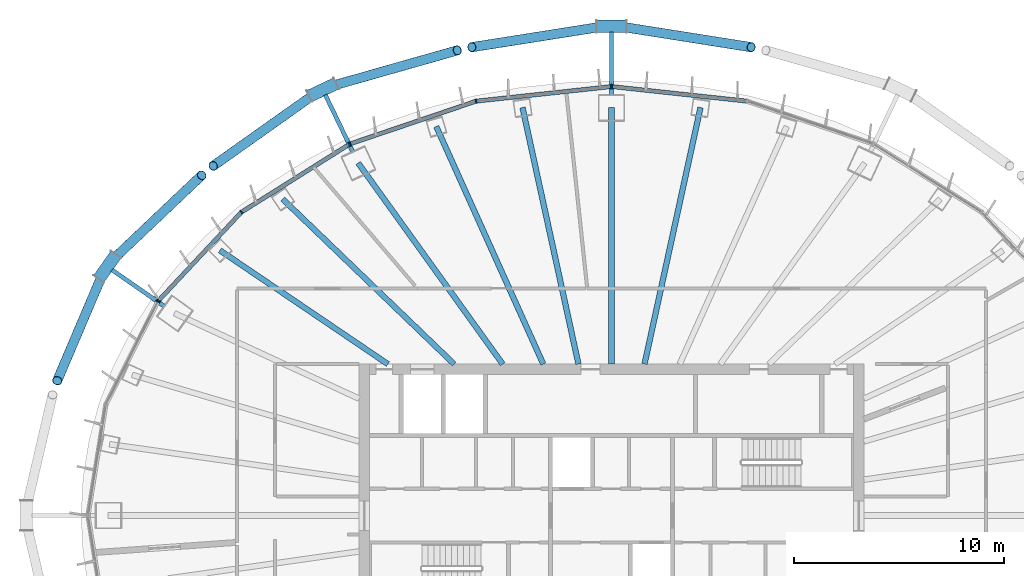
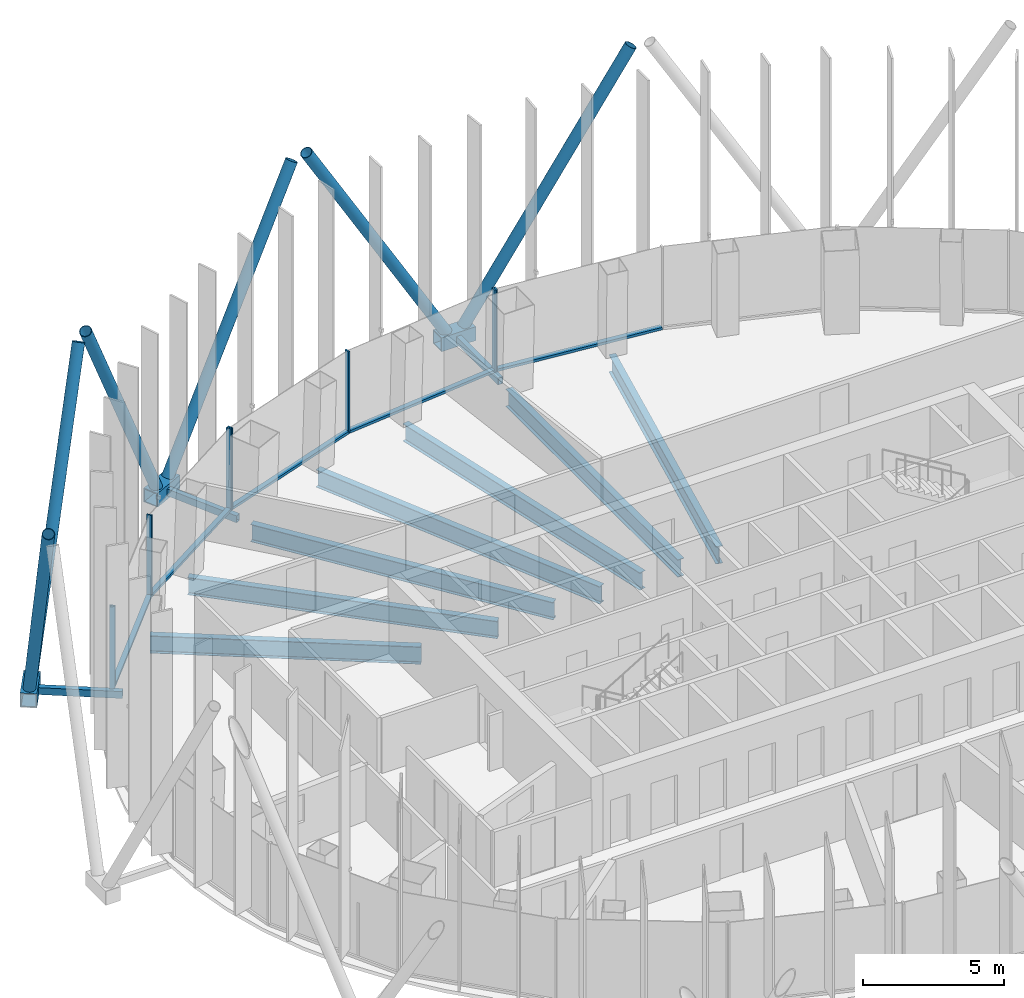
# One storey, part 5 of 19: 25 members, 7 beams, 4 elements without a shape of their own.
"""IFC4 building model written with IfcOpenShell, lengths in metres."""

from ifc_helpers import new_model, si_unit, direction, frame, origin, origin_2d, place, context, subcontext, project, spatial, rectangle, hollow_rectangle, hollow_circle, i_section, extrude, material, layer, layer_set, material_profile, profile_set, type_object, element, aggregate, save


model = new_model("IFC4")

# Units and contexts
model_context = context("Model", 3, precision=1e-05, world=origin(), true_north=direction((0.0, 1.0)))
body_context = subcontext(model_context, "Body", "Model", "MODEL_VIEW")
ifc_project = project(units=[si_unit("LENGTHUNIT", "METRE"), si_unit("AREAUNIT", "SQUARE_METRE"), si_unit("VOLUMEUNIT", "CUBIC_METRE"), si_unit("PLANEANGLEUNIT", "RADIAN"), si_unit("MASSUNIT", "GRAM", prefix="KILO")], contexts=[model_context])

# Site, building, storey
site_placement = place(None, origin())
site = spatial("IfcSite", under=ifc_project, at=site_placement, CompositionType="ELEMENT")
building_placement = place(site_placement, origin())
building = spatial("IfcBuilding", under=site, at=building_placement, Name="Siaravel Broadcast Tower", CompositionType="ELEMENT")
storey_placement = place(building_placement, frame((0.0, 0.0, 130.39990234375)))
storey = spatial("IfcBuildingStorey", under=building, at=storey_placement, Name="L31", CompositionType="ELEMENT", Elevation=130.39990234375)

# Beams
ifc_material_1 = material(Name="Steel S355", Category="steel")
ifc_material_profile_1 = material_profile(ifc_material_1, i_section(OverallWidth=0.26513671875, OverallDepth=0.75390625, WebThickness=0.0126953125, FlangeThickness=0.017578125, FilletRadius=0.0166015625, at=origin_2d()))
ifc_profile_set_1 = profile_set([ifc_material_profile_1], Name="Steel S355")
beam_type = type_object("IfcBeamType", Name="BM-UB 762x267x147", PredefinedType="BEAM", material=ifc_profile_set_1)
beam_1_placement = place(storey_placement, frame((4.23193359375, 19.398193359375, -0.52685546875), z_axis=(-0.213143997, -0.977020796, 0.0), x_axis=(0.977020796, -0.213143997, 0.0)))
element("IfcBeam", 1, at=beam_1_placement, inside=storey, type_object=beam_type, Name="Radial beam RB09", PredefinedType="BEAM", context=body_context, shape_type="SweptSolid", body=[
    extrude(i_section(OverallWidth=0.26513671875, OverallDepth=0.75390625, WebThickness=0.0126953125, FlangeThickness=0.017578125, FilletRadius=0.0166015625, at=origin_2d()), origin(), (0.0, 0.0, 1.0), 12.485107421875),
])
beam_2_placement = place(storey_placement, frame((0.0, 19.401611328125, -0.52685546875), z_axis=(0.0, -1.0, 0.0), x_axis=(1.0, 0.0, 0.0)))
element("IfcBeam", 2, at=beam_2_placement, inside=storey, type_object=beam_type, Name="Radial beam RB10", PredefinedType="BEAM", context=body_context, shape_type="SweptSolid", body=[
    extrude(i_section(OverallWidth=0.26513671875, OverallDepth=0.75390625, WebThickness=0.0126953125, FlangeThickness=0.017578125, FilletRadius=0.0166015625, at=origin_2d()), origin(), (0.0, 0.0, 1.0), 12.20166015625),
])
beam_3_placement = place(storey_placement, frame((-4.23193359375, 19.398193359375, -0.52685546875), z_axis=(0.213143997, -0.977020796, 0.0), x_axis=(0.977020796, 0.213143997, 0.0)))
element("IfcBeam", 3, at=beam_3_placement, inside=storey, type_object=beam_type, Name="Radial beam RB11", PredefinedType="BEAM", context=body_context, shape_type="SweptSolid", body=[
    extrude(i_section(OverallWidth=0.26513671875, OverallDepth=0.75390625, WebThickness=0.0126953125, FlangeThickness=0.017578125, FilletRadius=0.0166015625, at=origin_2d()), origin(), (0.0, 0.0, 1.0), 12.485107421875),
])
beam_4_placement = place(storey_placement, frame((-8.331787109375, 18.49853515625, -0.52685546875), z_axis=(0.410666942, -0.911785426, 0.0), x_axis=(0.911785426, 0.410666942, 0.0)))
element("IfcBeam", 4, at=beam_4_placement, inside=storey, type_object=beam_type, Name="Radial beam RB12", PredefinedType="BEAM", context=body_context, shape_type="SweptSolid", body=[
    extrude(i_section(OverallWidth=0.26513671875, OverallDepth=0.75390625, WebThickness=0.0126953125, FlangeThickness=0.017578125, FilletRadius=0.0166015625, at=origin_2d()), origin(), (0.0, 0.0, 1.0), 12.3916015625),
])
beam_5_placement = place(storey_placement, frame((-12.044189453125, 16.760498046875, -0.52685546875), z_axis=(0.583550585, -0.812076791, 0.0), x_axis=(0.812076791, 0.583550585, 0.0)))
element("IfcBeam", 5, at=beam_5_placement, inside=storey, type_object=beam_type, Name="Radial beam RB13", PredefinedType="BEAM", context=body_context, shape_type="SweptSolid", body=[
    extrude(i_section(OverallWidth=0.26513671875, OverallDepth=0.75390625, WebThickness=0.0126953125, FlangeThickness=0.017578125, FilletRadius=0.0166015625, at=origin_2d()), origin(), (0.0, 0.0, 1.0), 11.77294921875),
])
beam_6_placement = place(storey_placement, frame((-15.63525390625, 15.0458984375, -0.52685546875), z_axis=(0.720548164, -0.693404891, 0.0), x_axis=(0.693404891, 0.720548164, 0.0)))
element("IfcBeam", 6, at=beam_6_placement, inside=storey, type_object=beam_type, Name="Radial beam RB14", PredefinedType="BEAM", context=body_context, shape_type="SweptSolid", body=[
    extrude(i_section(OverallWidth=0.26513671875, OverallDepth=0.75390625, WebThickness=0.0126953125, FlangeThickness=0.017578125, FilletRadius=0.0166015625, at=origin_2d()), origin(), (0.0, 0.0, 1.0), 11.315185546875),
])
beam_7_placement = place(storey_placement, frame((-18.614501953125, 12.605712890625, -0.52685546875), z_axis=(0.827999857, -0.56072831, 0.0), x_axis=(0.56072831, 0.827999857, 0.0)))
element("IfcBeam", 7, at=beam_7_placement, inside=storey, type_object=beam_type, Name="Radial beam RB15", PredefinedType="BEAM", context=body_context, shape_type="SweptSolid", body=[
    extrude(i_section(OverallWidth=0.26513671875, OverallDepth=0.75390625, WebThickness=0.0126953125, FlangeThickness=0.017578125, FilletRadius=0.0166015625, at=origin_2d()), origin(), (0.0, 0.0, 1.0), 9.640625),
])

# Curtain wall, member
ifc_material_2 = material(Name="Aluminium 6063-T6", Category="aluminium")
ifc_layer = layer(ifc_material_2, 0.199951171875)
ifc_layer_set = layer_set([ifc_layer], Name="Aluminium 6063-T6")
curtain_wall_type = type_object("IfcCurtainWallType", Name="Unitised curtain wall, zone 2", PredefinedType="NOTDEFINED", material=ifc_layer_set)
curtain_wall_1_placement = place(storey_placement, origin())
curtain_wall_1 = element("IfcCurtainWall", 8, at=curtain_wall_1_placement, inside=storey, type_object=curtain_wall_type, Name="L31 Unitised curtain wall, zone 2 03", PredefinedType="NOTDEFINED")
ifc_material_profile_2 = material_profile(ifc_material_2, rectangle(XDim=0.199951171875, YDim=0.06494140625, at=origin_2d()))
ifc_profile_set_2 = profile_set([ifc_material_profile_2], Name="Aluminium 6063-T6")
member_type_1 = type_object("IfcMemberType", Name="CW-Z2 mullion", PredefinedType="MULLION", material=ifc_profile_set_2)
member_1_placement = place(storey_placement, frame((0.0322265625, 20.390869140625, 0.0), z_axis=(0.0, 0.0, 1.0), x_axis=(-0.107218035, -0.994235532, 0.0)))
member_1 = element("IfcMember", 9, at=member_1_placement, type_object=member_type_1, Name="CW-Z2 mullion 3", PredefinedType="MULLION", context=body_context, shape_type="SweptSolid", body=[
    extrude(rectangle(XDim=0.199951171875, YDim=0.06494140625, at=origin_2d()), origin(), (0.0, 0.0, 1.0), 3.550048828125),
])

# Curtain wall, members
curtain_wall_2_placement = place(storey_placement, origin())
curtain_wall_2 = element("IfcCurtainWall", 10, at=curtain_wall_2_placement, inside=storey, type_object=curtain_wall_type, Name="L31 Unitised curtain wall, zone 2 04", PredefinedType="NOTDEFINED")
member_2_placement = place(storey_placement, frame((-0.0322265625, 20.390869140625, 0.0), z_axis=(0.0, 0.0, 1.0), x_axis=(0.107218035, -0.994235532, 0.0)))
member_2 = element("IfcMember", 11, at=member_2_placement, type_object=member_type_1, Name="CW-Z2 mullion 1", PredefinedType="MULLION", context=body_context, shape_type="SweptSolid", body=[
    extrude(rectangle(XDim=0.199951171875, YDim=0.06494140625, at=origin_2d()), origin(), (0.0, 0.0, 1.0), 3.550048828125),
])
member_3_placement = place(storey_placement, frame((-6.43896484375, 19.699951171875, 0.0), z_axis=(0.0, 0.0, 1.0), x_axis=(0.215559096, -0.976490797, 0.0)))
member_3 = element("IfcMember", 12, at=member_3_placement, type_object=member_type_1, Name="CW-Z2 mullion 2", PredefinedType="MULLION", context=body_context, shape_type="SweptSolid", body=[
    extrude(rectangle(XDim=0.199951171875, YDim=0.06494140625, at=origin_2d()), origin(), (0.0, 0.0, 1.0), 3.550048828125),
])
member_4_placement = place(storey_placement, frame((-12.408935546875, 17.67431640625, 0.0), z_axis=(0.0, 0.0, 1.0), x_axis=(0.321302097, -0.946976749, 0.0)))
member_4 = element("IfcMember", 13, at=member_4_placement, type_object=member_type_1, Name="CW-Z2 mullion 3", PredefinedType="MULLION", context=body_context, shape_type="SweptSolid", body=[
    extrude(rectangle(XDim=0.199951171875, YDim=0.06494140625, at=origin_2d()), origin(), (0.0, 0.0, 1.0), 3.550048828125),
])

curtain_wall_3_placement = place(storey_placement, origin())
curtain_wall_3 = element("IfcCurtainWall", 14, at=curtain_wall_3_placement, inside=storey, type_object=curtain_wall_type, Name="L31 Unitised curtain wall, zone 2 05", PredefinedType="NOTDEFINED")
member_5_placement = place(storey_placement, frame((-12.46728515625, 17.646484375, 0.0), z_axis=(0.0, 0.0, 1.0), x_axis=(0.532151141, -0.846649374, 0.0)))
member_5 = element("IfcMember", 15, at=member_5_placement, type_object=member_type_1, Name="CW-Z2 mullion 1", PredefinedType="MULLION", context=body_context, shape_type="SweptSolid", body=[
    extrude(rectangle(XDim=0.199951171875, YDim=0.06494140625, at=origin_2d()), origin(), (0.0, 0.0, 1.0), 3.550048828125),
])
member_6_placement = place(storey_placement, frame((-17.593994140625, 14.42431640625, 0.0), z_axis=(0.0, 0.0, 1.0), x_axis=(0.63622045, -0.771507317, 0.0)))
member_6 = element("IfcMember", 16, at=member_6_placement, type_object=member_type_1, Name="CW-Z2 mullion 2", PredefinedType="MULLION", context=body_context, shape_type="SweptSolid", body=[
    extrude(rectangle(XDim=0.199951171875, YDim=0.06494140625, at=origin_2d()), origin(), (0.0, 0.0, 1.0), 3.550048828125),
])
member_7_placement = place(storey_placement, frame((-21.528076171875, 10.224609375, 0.0), z_axis=(0.0, 0.0, 1.0), x_axis=(0.729806913, -0.683653326, 0.0)))
member_7 = element("IfcMember", 17, at=member_7_placement, type_object=member_type_1, Name="CW-Z2 mullion 3", PredefinedType="MULLION", context=body_context, shape_type="SweptSolid", body=[
    extrude(rectangle(XDim=0.199951171875, YDim=0.06494140625, at=origin_2d()), origin(), (0.0, 0.0, 1.0), 3.550048828125),
])

# Curtain wall, member
curtain_wall_4_placement = place(storey_placement, origin())
curtain_wall_4 = element("IfcCurtainWall", 18, at=curtain_wall_4_placement, inside=storey, type_object=curtain_wall_type, Name="L31 Unitised curtain wall, zone 2 06", PredefinedType="NOTDEFINED")
member_8_placement = place(storey_placement, frame((-21.56494140625, 10.172119140625, 0.0), z_axis=(0.0, 0.0, 1.0), x_axis=(0.892392954, -0.451259145, 0.0)))
member_8 = element("IfcMember", 19, at=member_8_placement, type_object=member_type_1, Name="CW-Z2 mullion 1", PredefinedType="MULLION", context=body_context, shape_type="SweptSolid", body=[
    extrude(rectangle(XDim=0.199951171875, YDim=0.06494140625, at=origin_2d()), origin(), (0.0, 0.0, 1.0), 3.550048828125),
])
aggregate(curtain_wall_4, [member_8])

# Member
ifc_material_profile_3 = material_profile(ifc_material_2, rectangle(XDim=0.199951171875, YDim=0.110107421875, at=origin_2d()))
ifc_profile_set_3 = profile_set([ifc_material_profile_3], Name="Aluminium 6063-T6")
member_type_2 = type_object("IfcMemberType", Name="CW-Z2 transom", PredefinedType="USERDEFINED", material=ifc_profile_set_3)
member_9_placement = place(storey_placement, frame((6.40673828125, 19.703369140625, 0.05517578125), z_axis=(-0.994236965, 0.107204748, 0.0), x_axis=(-0.107204748, -0.994236965, 0.0)))
member_9 = element("IfcMember", 20, at=member_9_placement, type_object=member_type_2, Name="CW-Z2 transom 2", ObjectType="TRANSOM", PredefinedType="USERDEFINED", context=body_context, shape_type="SweptSolid", body=[
    extrude(rectangle(XDim=0.199951171875, YDim=0.110107421875, at=origin_2d()), origin(), (0.0, 0.0, 1.0), 6.37890625),
])

aggregate(curtain_wall_1, [member_1, member_9])

member_10_placement = place(storey_placement, frame((-0.064697265625, 20.38720703125, 0.05517578125), z_axis=(-0.994236965, -0.107204748, 0.0), x_axis=(0.107204748, -0.994236965, 0.0)))
member_10 = element("IfcMember", 21, at=member_10_placement, type_object=member_type_2, Name="CW-Z2 transom 1", ObjectType="TRANSOM", PredefinedType="USERDEFINED", context=body_context, shape_type="SweptSolid", body=[
    extrude(rectangle(XDim=0.199951171875, YDim=0.110107421875, at=origin_2d()), origin(), (0.0, 0.0, 1.0), 6.37890625),
])

member_11_placement = place(storey_placement, frame((-6.4697265625, 19.689453125, 0.05517578125), z_axis=(-0.946983377, -0.32128256, 0.0), x_axis=(0.32128256, -0.946983377, 0.0)))
member_11 = element("IfcMember", 22, at=member_11_placement, type_object=member_type_2, Name="CW-Z2 transom 2", ObjectType="TRANSOM", PredefinedType="USERDEFINED", context=body_context, shape_type="SweptSolid", body=[
    extrude(rectangle(XDim=0.199951171875, YDim=0.110107421875, at=origin_2d()), origin(), (0.0, 0.0, 1.0), 6.239501953125),
])

aggregate(curtain_wall_2, [member_2, member_3, member_4, member_10, member_11])

member_12_placement = place(storey_placement, frame((-12.494873046875, 17.62939453125, 0.05517578125), z_axis=(-0.84664232, -0.532162364, 0.0), x_axis=(0.532162364, -0.84664232, 0.0)))
member_12 = element("IfcMember", 23, at=member_12_placement, type_object=member_type_2, Name="CW-Z2 transom 1", ObjectType="TRANSOM", PredefinedType="USERDEFINED", context=body_context, shape_type="SweptSolid", body=[
    extrude(rectangle(XDim=0.199951171875, YDim=0.110107421875, at=origin_2d()), origin(), (0.0, 0.0, 1.0), 5.990234375),
])

member_13_placement = place(storey_placement, frame((-17.6162109375, 14.400634765625, 0.05517578125), z_axis=(-0.683644181, -0.72981548, 0.0), x_axis=(0.72981548, -0.683644181, 0.0)))
member_13 = element("IfcMember", 24, at=member_13_placement, type_object=member_type_2, Name="CW-Z2 transom 2", ObjectType="TRANSOM", PredefinedType="USERDEFINED", context=body_context, shape_type="SweptSolid", body=[
    extrude(rectangle(XDim=0.199951171875, YDim=0.110107421875, at=origin_2d()), origin(), (0.0, 0.0, 1.0), 5.689697265625),
])

aggregate(curtain_wall_3, [member_5, member_6, member_7, member_12, member_13])

# Members
ifc_material_3 = material(Name="Steel S460", Category="steel")
ifc_material_profile_4 = material_profile(ifc_material_3, hollow_circle(Radius=0.228515625, WallThickness=0.02001953125, at=origin_2d()))
ifc_profile_set_4 = profile_set([ifc_material_profile_4], Name="Steel S460")
member_type_3 = type_object("IfcMemberType", Name="Diagrid diagonal CHS 457x20", PredefinedType="BRACE", material=ifc_profile_set_4)
for number, where, z_axis, x_axis, name in (
    (25, (0.351318359375, 23.2587890625, 0.070068359375), (0.510138536, -0.080515889, 0.856315284), (0.155901551, 0.987772599, 0.0), "Diagrid diagonal R13 station 18C"),
    (26, (-0.351318359375, 23.2587890625, 0.070068359375), (-0.510138536, -0.080515889, 0.856315284), (0.155901551, -0.987772599, 0.0), "Diagrid diagonal R13 station 18A"),
):
    element("IfcMember", number, at=place(storey_placement, frame(where, z_axis=z_axis, x_axis=x_axis)), inside=storey, type_object=member_type_3, Name=name, PredefinedType="BRACE", context=body_context, shape_type="SweptSolid", body=[
        extrude(hollow_circle(Radius=0.228515625, WallThickness=0.02001953125, at=origin_2d()), origin(), (0.0, 0.0, 1.0), 12.33203125),
    ])
member_14_placement = place(storey_placement, frame((-13.404541015625, 20.391845703125, 0.070068359375), z_axis=(0.493780436, 0.140062529, 0.858232701), x_axis=(-0.27288765, 0.962045909, 0.0)))
element("IfcMember", 27, at=member_14_placement, inside=storey, type_object=member_type_3, Name="Diagrid diagonal R13 station 24C", PredefinedType="BRACE", context=body_context, shape_type="SweptSolid", body=[
    extrude(hollow_circle(Radius=0.228515625, WallThickness=0.02001953125, at=origin_2d()), origin(), (0.0, 0.0, 1.0), 12.304443359375),
])
member_15_placement = place(storey_placement, frame((-14.039794921875, 20.09130859375, 0.070068359375), z_axis=(-0.40322927, -0.285795755, 0.869325567), x_axis=(0.578253125, -0.815857416, 0.0)))
element("IfcMember", 28, at=member_15_placement, inside=storey, type_object=member_type_3, Name="Diagrid diagonal R13 station 24A", PredefinedType="BRACE", context=body_context, shape_type="SweptSolid", body=[
    extrude(hollow_circle(Radius=0.228515625, WallThickness=0.02001953125, at=origin_2d()), origin(), (0.0, 0.0, 1.0), 12.1474609375),
])
member_16_placement = place(storey_placement, frame((-23.764892578125, 12.114501953125, 0.070068359375), z_axis=(0.354065042, 0.335598928, 0.872932589), x_axis=(-0.687927073, 0.725779817, 0.0)))
element("IfcMember", 29, at=member_16_placement, inside=storey, type_object=member_type_3, Name="Diagrid diagonal R13 station 30C", PredefinedType="BRACE", context=body_context, shape_type="SweptSolid", body=[
    extrude(hollow_circle(Radius=0.228515625, WallThickness=0.02001953125, at=origin_2d()), origin(), (0.0, 0.0, 1.0), 12.09716796875),
])
member_17_placement = place(storey_placement, frame((-24.169677734375, 11.540283203125, 0.070068359375), z_axis=(-0.182781146, -0.429773854, 0.884242889), x_axis=(0.920232801, -0.391371425, 0.0)))
element("IfcMember", 30, at=member_17_placement, inside=storey, type_object=member_type_3, Name="Diagrid diagonal R13 station 30A", PredefinedType="BRACE", context=body_context, shape_type="SweptSolid", body=[
    extrude(hollow_circle(Radius=0.228515625, WallThickness=0.02001953125, at=origin_2d()), origin(), (0.0, 0.0, 1.0), 11.9423828125),
])
ifc_material_profile_5 = material_profile(ifc_material_3, hollow_rectangle(XDim=0.60009765625, YDim=0.60009765625, WallThickness=0.0400390625, at=origin_2d()))
ifc_profile_set_5 = profile_set([ifc_material_profile_5], Name="Steel S460")
member_type_4 = type_object("IfcMemberType", Name="Diagrid node BOX 600x600x40", PredefinedType="USERDEFINED", material=ifc_profile_set_5)
member_18_placement = place(storey_placement, frame((0.699951171875, 23.2587890625, -0.199951171875), z_axis=(-1.0, 0.0, 0.0), x_axis=(0.0, -1.0, 0.0)))
element("IfcMember", 31, at=member_18_placement, inside=storey, type_object=member_type_4, Name="Diagrid node R13 station 18", ObjectType="DIAGRID NODE", PredefinedType="USERDEFINED", context=body_context, shape_type="SweptSolid", body=[
    extrude(hollow_rectangle(XDim=0.60009765625, YDim=0.60009765625, WallThickness=0.0400390625, at=origin_2d()), origin(), (0.0, 0.0, 1.0), 1.39990234375),
])
for number, where, z_axis, x_axis, name in (
    (32, (-13.08935546875, 20.540771484375, -0.199951171875), (-0.904014668, -0.427501438, 0.0), (0.427501438, -0.904014668, 0.0), "Diagrid node R13 station 24"),
    (33, (-23.564208984375, 12.3994140625, -0.199951171875), (-0.576128367, -0.817359227, 0.0), (0.817359227, -0.576128367, 0.0), "Diagrid node R13 station 30"),
):
    element("IfcMember", number, at=place(storey_placement, frame(where, z_axis=z_axis, x_axis=x_axis)), inside=storey, type_object=member_type_4, Name=name, ObjectType="DIAGRID NODE", PredefinedType="USERDEFINED", context=body_context, shape_type="SweptSolid", body=[
        extrude(hollow_rectangle(XDim=0.60009765625, YDim=0.60009765625, WallThickness=0.0400390625, at=origin_2d()), origin(), (0.0, 0.0, 1.0), 1.399658203125),
    ])
ifc_material_profile_6 = material_profile(ifc_material_3, hollow_rectangle(XDim=0.199951171875, YDim=0.300048828125, WallThickness=0.012451171875, at=origin_2d()))
ifc_profile_set_6 = profile_set([ifc_material_profile_6], Name="Steel S460")
member_type_5 = type_object("IfcMemberType", Name="Diagrid node arm RHS 300x200x12.5", PredefinedType="STRUT", material=ifc_profile_set_6)
member_19_placement = place(storey_placement, frame((0.0, 19.99658203125, -0.199951171875), z_axis=(0.0, 1.0, 0.0), x_axis=(-1.0, 0.0, 0.0)))
element("IfcMember", 34, at=member_19_placement, inside=storey, type_object=member_type_5, Name="Node arm R13 station 18", PredefinedType="STRUT", context=body_context, shape_type="SweptSolid", body=[
    extrude(hollow_rectangle(XDim=0.199951171875, YDim=0.300048828125, WallThickness=0.012451171875, at=origin_2d()), origin(), (0.0, 0.0, 1.0), 2.992431640625),
])
member_20_placement = place(storey_placement, frame((-12.302490234375, 17.29638671875, -0.199951171875), z_axis=(-0.434241398, 0.900796541, 0.0), x_axis=(-0.900796541, -0.434241398, 0.0)))
element("IfcMember", 35, at=member_20_placement, inside=storey, type_object=member_type_5, Name="Node arm R13 station 24", PredefinedType="STRUT", context=body_context, shape_type="SweptSolid", body=[
    extrude(hollow_rectangle(XDim=0.199951171875, YDim=0.300048828125, WallThickness=0.012451171875, at=origin_2d()), origin(), (0.0, 0.0, 1.0), 2.99951171875),
])
member_21_placement = place(storey_placement, frame((-21.265869140625, 9.955810546875, -0.199951171875), z_axis=(-0.822005667, 0.56947931, 0.0), x_axis=(-0.56947931, -0.822005667, 0.0)))
element("IfcMember", 36, at=member_21_placement, inside=storey, type_object=member_type_5, Name="Node arm R13 station 30", PredefinedType="STRUT", context=body_context, shape_type="SweptSolid", body=[
    extrude(hollow_rectangle(XDim=0.199951171875, YDim=0.300048828125, WallThickness=0.012451171875, at=origin_2d()), origin(), (0.0, 0.0, 1.0), 3.016357421875),
])

save(model, "model.ifc")
